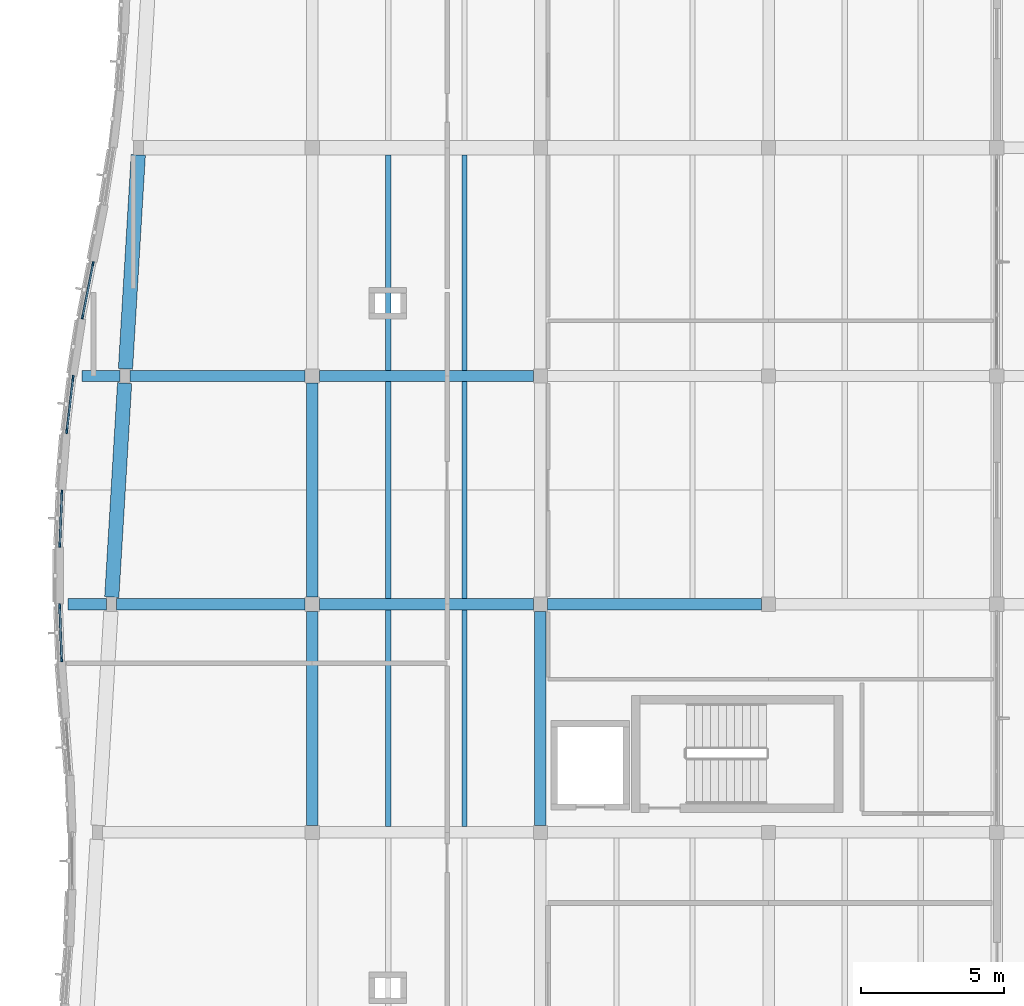
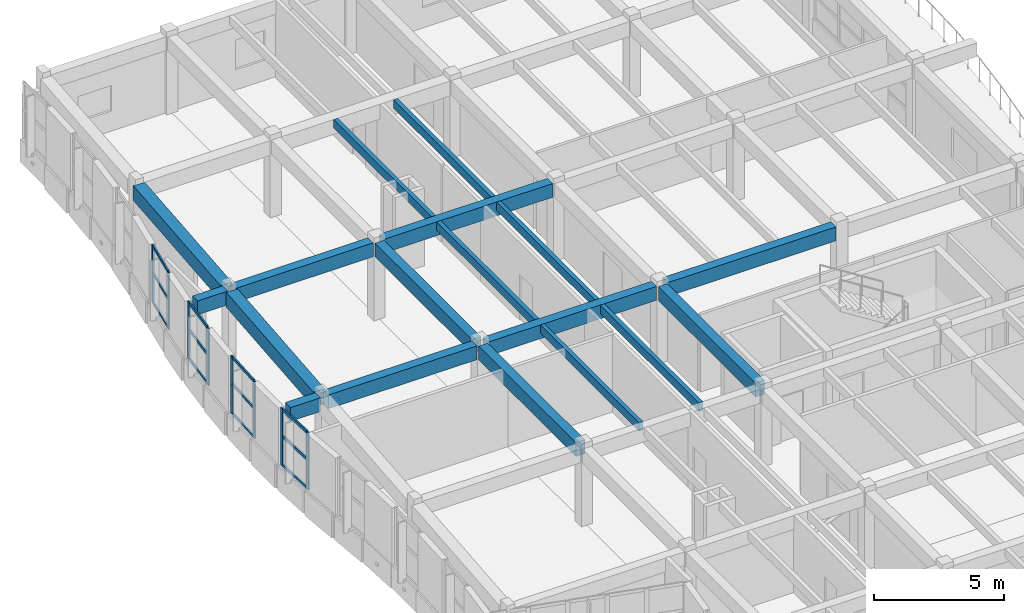
# One storey, part 14 of 89: 20 members, 18 beams, 4 elements without a shape of their own.
"""IFC4 building model written with IfcOpenShell, lengths in metres."""

from ifc_helpers import new_model, si_unit, direction, frame, origin, origin_2d, place, context, subcontext, project, spatial, rectangle, extrude, material, layer, layer_set, material_profile, profile_set, type_object, element, aggregate, save


model = new_model("IFC4")

# Units and contexts
model_context = context("Model", 3, precision=1e-05, world=origin(), true_north=direction((0.0, 1.0)))
body_context = subcontext(model_context, "Body", "Model", "MODEL_VIEW")
ifc_project = project(units=[si_unit("LENGTHUNIT", "METRE"), si_unit("AREAUNIT", "SQUARE_METRE"), si_unit("VOLUMEUNIT", "CUBIC_METRE"), si_unit("PLANEANGLEUNIT", "RADIAN"), si_unit("MASSUNIT", "GRAM", prefix="KILO")], contexts=[model_context])

# Site, building, storey
site_placement = place(None, origin())
site = spatial("IfcSite", under=ifc_project, at=site_placement, CompositionType="ELEMENT")
building_placement = place(site_placement, origin())
building = spatial("IfcBuilding", under=site, at=building_placement, Name="Tonlespit Floodbar School", CompositionType="ELEMENT")
storey_placement = place(building_placement, frame((0.0, 0.0, 4.5)))
storey = spatial("IfcBuildingStorey", under=building, at=storey_placement, Name="L01", CompositionType="ELEMENT", Elevation=4.5)

# Beams
ifc_material_1 = material(Name="Concrete C40/50", Category="concrete")
ifc_material_profile_1 = material_profile(ifc_material_1, rectangle(XDim=0.39990234375, YDim=0.64990234375, at=origin_2d()), Name="RC 400x650")
ifc_profile_set_1 = profile_set([ifc_material_profile_1], Name="Concrete C40/50")
beam_type_1 = type_object("IfcBeamType", Name="Beam_RC_400x650", PredefinedType="BEAM", material=ifc_profile_set_1)
beam_1_placement = place(storey_placement, frame((5.135009765625, 72.0, 3.324951171875), z_axis=(1.0, 0.0, 0.0), x_axis=(0.0, 1.0, 0.0)))
element("IfcBeam", 1, at=beam_1_placement, inside=storey, type_object=beam_type_1, Name="L01 girder 0585", PredefinedType="BEAM", context=body_context, shape_type="SweptSolid", body=[
    extrude(rectangle(XDim=0.39990234375, YDim=0.64990234375, at=origin_2d()), origin(), (0.0, 0.0, 1.0), 6.614990234375),
])
for number, where, z_axis, x_axis, name in (
    (2, (12.25, 72.0, 3.324951171875), (1.0, 0.0, 0.0), (0.0, 1.0, 0.0), "L01 girder 0586"),
    (3, (20.25, 72.0, 3.324951171875), (1.0, 0.0, 0.0), (0.0, 1.0, 0.0), "L01 girder 0587"),
):
    element("IfcBeam", number, at=place(storey_placement, frame(where, z_axis=z_axis, x_axis=x_axis)), inside=storey, type_object=beam_type_1, Name=name, PredefinedType="BEAM", context=body_context, shape_type="SweptSolid", body=[
        extrude(rectangle(XDim=0.39990234375, YDim=0.64990234375, at=origin_2d()), origin(), (0.0, 0.0, 1.0), 7.5),
    ])
beam_2_placement = place(storey_placement, frame((5.614990234375, 80.0, 3.324951171875), z_axis=(1.0, 0.0, 0.0), x_axis=(0.0, 1.0, 0.0)))
element("IfcBeam", 4, at=beam_2_placement, inside=storey, type_object=beam_type_1, Name="L01 girder 0594", PredefinedType="BEAM", context=body_context, shape_type="SweptSolid", body=[
    extrude(rectangle(XDim=0.39990234375, YDim=0.64990234375, at=origin_2d()), origin(), (0.0, 0.0, 1.0), 6.135009765625),
])
for number, where, z_axis, x_axis, name in (
    (5, (12.25, 80.0, 3.324951171875), (1.0, 0.0, 0.0), (0.0, 1.0, 0.0), "L01 girder 0595"),
    (6, (12.0, 64.25, 3.324951171875), (0.0, 1.0, 0.0), (-1.0, 0.0, 0.0), "L01 girder 0683"),
    (7, (12.0, 72.25, 3.324951171875), (0.0, 1.0, 0.0), (-1.0, 0.0, 0.0), "L01 girder 0684"),
    (8, (20.0, 64.25, 3.324951171875), (0.0, 1.0, 0.0), (-1.0, 0.0, 0.0), "L01 girder 0696"),
):
    element("IfcBeam", number, at=place(storey_placement, frame(where, z_axis=z_axis, x_axis=x_axis)), inside=storey, type_object=beam_type_1, Name=name, PredefinedType="BEAM", context=body_context, shape_type="SweptSolid", body=[
        extrude(rectangle(XDim=0.39990234375, YDim=0.64990234375, at=origin_2d()), origin(), (0.0, 0.0, 1.0), 7.5),
    ])
for number, where, z_axis, x_axis, name in (
    (9, (4.784912109375, 72.0, 3.324951171875), (-1.0, 0.0, 0.0), (0.0, -1.0, 0.0), "L01 west street wave cantilever bracket"),
    (10, (5.264892578125, 80.0, 3.324951171875), (-1.0, 0.0, 0.0), (0.0, -1.0, 0.0), "L01 west street wave cantilever bracket"),
):
    element("IfcBeam", number, at=place(storey_placement, frame(where, z_axis=z_axis, x_axis=x_axis)), inside=storey, type_object=beam_type_1, Name=name, PredefinedType="BEAM", context=body_context, shape_type="SweptSolid", body=[
        extrude(rectangle(XDim=0.39990234375, YDim=0.64990234375, at=origin_2d()), origin(), (0.0, 0.0, 1.0), 1.33984375),
    ])

# Curtain wall, members
ifc_material_2 = material(Name="Anodised Aluminium", Category="aluminium")
ifc_layer_1 = layer(ifc_material_2, 0.159912109375)
ifc_layer_set_1 = layer_set([ifc_layer_1], Name="Anodised Aluminium")
curtain_wall_type_1 = type_object("IfcCurtainWallType", Name="CurtainWall_1900x2700", PredefinedType="NOTDEFINED", material=ifc_layer_set_1)
curtain_wall_1_placement = place(storey_placement, origin())
curtain_wall_1 = element("IfcCurtainWall", 11, at=curtain_wall_1_placement, inside=storey, type_object=curtain_wall_type_1, Name="L01 unitised curtain wall 0276", PredefinedType="NOTDEFINED")
ifc_material_profile_2 = material_profile(ifc_material_2, rectangle(XDim=0.06494140625, YDim=0.14990234375, at=origin_2d()), Name="ALU M65x150")
ifc_profile_set_2 = profile_set([ifc_material_profile_2], Name="Anodised Aluminium")
member_type_1 = type_object("IfcMemberType", Name="CW_Mullion_65x150", PredefinedType="MULLION", material=ifc_profile_set_2)
member_1_placement = place(storey_placement, frame((3.15234375, 74.072509765625, 0.949951171875), z_axis=(0.0, 0.0, 1.0), x_axis=(-0.999169480615, 0.040747380387, 0.0)))
member_1 = element("IfcMember", 12, at=member_1_placement, type_object=member_type_1, Name="CW-05 mullion 1", PredefinedType="MULLION", context=body_context, shape_type="SweptSolid", body=[
    extrude(rectangle(XDim=0.06494140625, YDim=0.14990234375, at=origin_2d()), origin(), (0.0, 0.0, 1.0), 2.699951171875),
])
member_2_placement = place(storey_placement, frame((3.22802734375, 75.927490234375, 0.949951171875), z_axis=(0.0, 0.0, 1.0), x_axis=(-0.999169480615, 0.040747380387, 0.0)))
member_2 = element("IfcMember", 13, at=member_2_placement, type_object=member_type_1, Name="CW-05 mullion 2", PredefinedType="MULLION", context=body_context, shape_type="SweptSolid", body=[
    extrude(rectangle(XDim=0.06494140625, YDim=0.14990234375, at=origin_2d()), origin(), (0.0, 0.0, 1.0), 2.699951171875),
])

ifc_layer_2 = layer(ifc_material_2, 0.159912109375)
ifc_layer_set_2 = layer_set([ifc_layer_2], Name="Anodised Aluminium")
curtain_wall_type_2 = type_object("IfcCurtainWallType", Name="CurtainWall_1950x2700", PredefinedType="NOTDEFINED", material=ifc_layer_set_2)
curtain_wall_2_placement = place(storey_placement, origin())
curtain_wall_2 = element("IfcCurtainWall", 14, at=curtain_wall_2_placement, inside=storey, type_object=curtain_wall_type_2, Name="L01 unitised curtain wall 0278", PredefinedType="NOTDEFINED")
member_3_placement = place(storey_placement, frame((3.9521484375, 82.0712890625, 0.949951171875), z_axis=(0.0, 0.0, 1.0), x_axis=(-0.981347015734, 0.192244726092, 0.0)))
member_3 = element("IfcMember", 15, at=member_3_placement, type_object=member_type_1, Name="CW-04 mullion 1", PredefinedType="MULLION", context=body_context, shape_type="SweptSolid", body=[
    extrude(rectangle(XDim=0.06494140625, YDim=0.14990234375, at=origin_2d()), origin(), (0.0, 0.0, 1.0), 2.699951171875),
])
member_4_placement = place(storey_placement, frame((4.316162109375, 83.9287109375, 0.949951171875), z_axis=(0.0, 0.0, 1.0), x_axis=(-0.981347015734, 0.192244726092, 0.0)))
member_4 = element("IfcMember", 16, at=member_4_placement, type_object=member_type_1, Name="CW-04 mullion 2", PredefinedType="MULLION", context=body_context, shape_type="SweptSolid", body=[
    extrude(rectangle(XDim=0.06494140625, YDim=0.14990234375, at=origin_2d()), origin(), (0.0, 0.0, 1.0), 2.699951171875),
])

curtain_wall_3_placement = place(storey_placement, origin())
curtain_wall_3 = element("IfcCurtainWall", 17, at=curtain_wall_3_placement, inside=storey, type_object=curtain_wall_type_1, Name="L01 unitised curtain wall 0275", PredefinedType="NOTDEFINED")
ifc_material_profile_3 = material_profile(ifc_material_2, rectangle(XDim=0.06494140625, YDim=0.179931640625, at=origin_2d()), Name="ALU M65x180")
ifc_profile_set_3 = profile_set([ifc_material_profile_3], Name="Anodised Aluminium")
member_type_2 = type_object("IfcMemberType", Name="CW_Mullion_65x180", PredefinedType="MULLION", material=ifc_profile_set_3)
member_5_placement = place(storey_placement, frame((3.215576171875, 70.072509765625, 0.949951171875), z_axis=(0.0, 0.0, 1.0), x_axis=(-0.999332261205, -0.036538085803, 0.0)))
member_5 = element("IfcMember", 18, at=member_5_placement, type_object=member_type_2, Name="CW-05 mullion 1", PredefinedType="MULLION", context=body_context, shape_type="SweptSolid", body=[
    extrude(rectangle(XDim=0.06494140625, YDim=0.179931640625, at=origin_2d()), origin(), (0.0, 0.0, 1.0), 2.699951171875),
])
member_6_placement = place(storey_placement, frame((3.147705078125, 71.927490234375, 0.949951171875), z_axis=(0.0, 0.0, 1.0), x_axis=(-0.999332261205, -0.036538085803, 0.0)))
member_6 = element("IfcMember", 19, at=member_6_placement, type_object=member_type_2, Name="CW-05 mullion 2", PredefinedType="MULLION", context=body_context, shape_type="SweptSolid", body=[
    extrude(rectangle(XDim=0.06494140625, YDim=0.179931640625, at=origin_2d()), origin(), (0.0, 0.0, 1.0), 2.699951171875),
])

curtain_wall_4_placement = place(storey_placement, origin())
curtain_wall_4 = element("IfcCurtainWall", 20, at=curtain_wall_4_placement, inside=storey, type_object=curtain_wall_type_2, Name="L01 unitised curtain wall 0277", PredefinedType="NOTDEFINED")
member_7_placement = place(storey_placement, frame((3.39794921875, 78.072021484375, 0.949951171875), z_axis=(0.0, 0.0, 1.0), x_axis=(-0.993135771716, 0.116967255837, 0.0)))
member_7 = element("IfcMember", 21, at=member_7_placement, type_object=member_type_2, Name="CW-04 mullion 1", PredefinedType="MULLION", context=body_context, shape_type="SweptSolid", body=[
    extrude(rectangle(XDim=0.06494140625, YDim=0.179931640625, at=origin_2d()), origin(), (0.0, 0.0, 1.0), 2.699951171875),
])
member_8_placement = place(storey_placement, frame((3.616455078125, 79.927978515625, 0.949951171875), z_axis=(0.0, 0.0, 1.0), x_axis=(-0.993135771716, 0.116967255837, 0.0)))
member_8 = element("IfcMember", 22, at=member_8_placement, type_object=member_type_2, Name="CW-04 mullion 2", PredefinedType="MULLION", context=body_context, shape_type="SweptSolid", body=[
    extrude(rectangle(XDim=0.06494140625, YDim=0.179931640625, at=origin_2d()), origin(), (0.0, 0.0, 1.0), 2.699951171875),
])

# Member
ifc_material_profile_4 = material_profile(ifc_material_2, rectangle(XDim=0.06494140625, YDim=0.1201171875, at=origin_2d()), Name="ALU T65x120")
ifc_profile_set_4 = profile_set([ifc_material_profile_4], Name="Anodised Aluminium")
member_type_3 = type_object("IfcMemberType", Name="CW_Transom_65x120", PredefinedType="USERDEFINED", material=ifc_profile_set_4)
member_9_placement = place(storey_placement, frame((3.153564453125, 74.10498046875, 0.982421875), z_axis=(0.040746274984, 0.999169525694, 0.0), x_axis=(-0.999169525694, 0.040746274984, 0.0)))
member_9 = element("IfcMember", 23, at=member_9_placement, type_object=member_type_3, Name="CW-05 transom 1.1", ObjectType="TRANSOM", PredefinedType="USERDEFINED", context=body_context, shape_type="SweptSolid", body=[
    extrude(rectangle(XDim=0.06494140625, YDim=0.1201171875, at=origin_2d()), origin(), (0.0, 0.0, 1.0), 1.79150390625),
])

member_10_placement = place(storey_placement, frame((3.153564453125, 74.10498046875, 2.35400390625), z_axis=(0.040746274984, 0.999169525694, 0.0), x_axis=(-0.999169525694, 0.040746274984, 0.0)))
member_10 = element("IfcMember", 24, at=member_10_placement, type_object=member_type_3, Name="CW-05 transom 1.2", ObjectType="TRANSOM", PredefinedType="USERDEFINED", context=body_context, shape_type="SweptSolid", body=[
    extrude(rectangle(XDim=0.06494140625, YDim=0.1201171875, at=origin_2d()), origin(), (0.0, 0.0, 1.0), 1.79150390625),
])

member_11_placement = place(storey_placement, frame((3.153564453125, 74.10498046875, 3.617431640625), z_axis=(0.040746274984, 0.999169525694, 0.0), x_axis=(-0.999169525694, 0.040746274984, 0.0)))
member_11 = element("IfcMember", 25, at=member_11_placement, type_object=member_type_3, Name="CW-05 transom 1.3", ObjectType="TRANSOM", PredefinedType="USERDEFINED", context=body_context, shape_type="SweptSolid", body=[
    extrude(rectangle(XDim=0.06494140625, YDim=0.1201171875, at=origin_2d()), origin(), (0.0, 0.0, 1.0), 1.79150390625),
])

aggregate(curtain_wall_1, [member_1, member_2, member_9, member_10, member_11])

member_12_placement = place(storey_placement, frame((3.95849609375, 82.10302734375, 0.982421875), z_axis=(0.192184975047, 0.981358719004, 0.0), x_axis=(-0.981358719004, 0.192184975047, 0.0)))
member_12 = element("IfcMember", 26, at=member_12_placement, type_object=member_type_3, Name="CW-04 transom 1.1", ObjectType="TRANSOM", PredefinedType="USERDEFINED", context=body_context, shape_type="SweptSolid", body=[
    extrude(rectangle(XDim=0.06494140625, YDim=0.1201171875, at=origin_2d()), origin(), (0.0, 0.0, 1.0), 1.828125),
])

member_13_placement = place(storey_placement, frame((3.95849609375, 82.10302734375, 2.35400390625), z_axis=(0.192184975047, 0.981358719004, 0.0), x_axis=(-0.981358719004, 0.192184975047, 0.0)))
member_13 = element("IfcMember", 27, at=member_13_placement, type_object=member_type_3, Name="CW-04 transom 1.2", ObjectType="TRANSOM", PredefinedType="USERDEFINED", context=body_context, shape_type="SweptSolid", body=[
    extrude(rectangle(XDim=0.06494140625, YDim=0.1201171875, at=origin_2d()), origin(), (0.0, 0.0, 1.0), 1.828125),
])

member_14_placement = place(storey_placement, frame((3.95849609375, 82.10302734375, 3.617431640625), z_axis=(0.192184975047, 0.981358719004, 0.0), x_axis=(-0.981358719004, 0.192184975047, 0.0)))
member_14 = element("IfcMember", 28, at=member_14_placement, type_object=member_type_3, Name="CW-04 transom 1.3", ObjectType="TRANSOM", PredefinedType="USERDEFINED", context=body_context, shape_type="SweptSolid", body=[
    extrude(rectangle(XDim=0.06494140625, YDim=0.1201171875, at=origin_2d()), origin(), (0.0, 0.0, 1.0), 1.828125),
])

aggregate(curtain_wall_2, [member_3, member_4, member_12, member_13, member_14])

ifc_material_profile_5 = material_profile(ifc_material_2, rectangle(XDim=0.06494140625, YDim=0.139892578125, at=origin_2d()), Name="ALU T65x140")
ifc_profile_set_5 = profile_set([ifc_material_profile_5], Name="Anodised Aluminium")
member_type_4 = type_object("IfcMemberType", Name="CW_Transom_65x140", PredefinedType="USERDEFINED", material=ifc_profile_set_5)
member_15_placement = place(storey_placement, frame((3.21435546875, 70.10498046875, 0.982421875), z_axis=(-0.036527706995, 0.999332640627, 0.0), x_axis=(-0.999332640627, -0.036527706995, 0.0)))
member_15 = element("IfcMember", 29, at=member_15_placement, type_object=member_type_4, Name="CW-05 transom 1.1", ObjectType="TRANSOM", PredefinedType="USERDEFINED", context=body_context, shape_type="SweptSolid", body=[
    extrude(rectangle(XDim=0.06494140625, YDim=0.139892578125, at=origin_2d()), origin(), (0.0, 0.0, 1.0), 1.791259765625),
])

member_16_placement = place(storey_placement, frame((3.21435546875, 70.10498046875, 2.35400390625), z_axis=(-0.036527706995, 0.999332640627, 0.0), x_axis=(-0.999332640627, -0.036527706995, 0.0)))
member_16 = element("IfcMember", 30, at=member_16_placement, type_object=member_type_4, Name="CW-05 transom 1.2", ObjectType="TRANSOM", PredefinedType="USERDEFINED", context=body_context, shape_type="SweptSolid", body=[
    extrude(rectangle(XDim=0.06494140625, YDim=0.139892578125, at=origin_2d()), origin(), (0.0, 0.0, 1.0), 1.791259765625),
])

member_17_placement = place(storey_placement, frame((3.21435546875, 70.10498046875, 3.617431640625), z_axis=(-0.036527706995, 0.999332640627, 0.0), x_axis=(-0.999332640627, -0.036527706995, 0.0)))
member_17 = element("IfcMember", 31, at=member_17_placement, type_object=member_type_4, Name="CW-05 transom 1.3", ObjectType="TRANSOM", PredefinedType="USERDEFINED", context=body_context, shape_type="SweptSolid", body=[
    extrude(rectangle(XDim=0.06494140625, YDim=0.139892578125, at=origin_2d()), origin(), (0.0, 0.0, 1.0), 1.791259765625),
])

aggregate(curtain_wall_3, [member_5, member_6, member_15, member_16, member_17])

member_18_placement = place(storey_placement, frame((3.401611328125, 78.104248046875, 0.982421875), z_axis=(0.117068966489, 0.993123787393, 0.0), x_axis=(-0.993123787393, 0.117068966489, 0.0)))
member_18 = element("IfcMember", 32, at=member_18_placement, type_object=member_type_4, Name="CW-04 transom 1.1", ObjectType="TRANSOM", PredefinedType="USERDEFINED", context=body_context, shape_type="SweptSolid", body=[
    extrude(rectangle(XDim=0.06494140625, YDim=0.139892578125, at=origin_2d()), origin(), (0.0, 0.0, 1.0), 1.803955078125),
])

member_19_placement = place(storey_placement, frame((3.401611328125, 78.104248046875, 2.35400390625), z_axis=(0.117068966489, 0.993123787393, 0.0), x_axis=(-0.993123787393, 0.117068966489, 0.0)))
member_19 = element("IfcMember", 33, at=member_19_placement, type_object=member_type_4, Name="CW-04 transom 1.2", ObjectType="TRANSOM", PredefinedType="USERDEFINED", context=body_context, shape_type="SweptSolid", body=[
    extrude(rectangle(XDim=0.06494140625, YDim=0.139892578125, at=origin_2d()), origin(), (0.0, 0.0, 1.0), 1.803955078125),
])

member_20_placement = place(storey_placement, frame((3.401611328125, 78.104248046875, 3.617431640625), z_axis=(0.117068966489, 0.993123787393, 0.0), x_axis=(-0.993123787393, 0.117068966489, 0.0)))
member_20 = element("IfcMember", 34, at=member_20_placement, type_object=member_type_4, Name="CW-04 transom 1.3", ObjectType="TRANSOM", PredefinedType="USERDEFINED", context=body_context, shape_type="SweptSolid", body=[
    extrude(rectangle(XDim=0.06494140625, YDim=0.139892578125, at=origin_2d()), origin(), (0.0, 0.0, 1.0), 1.803955078125),
])

aggregate(curtain_wall_4, [member_7, member_8, member_18, member_19, member_20])

# Beams
ifc_material_3 = material(Name="Glulam GL28h", Category="wood")
ifc_material_profile_6 = material_profile(ifc_material_3, rectangle(XDim=0.179931640625, YDim=0.39990234375, at=origin_2d()), Name="GL 180x400")
ifc_profile_set_6 = profile_set([ifc_material_profile_6], Name="Glulam GL28h")
beam_type_2 = type_object("IfcBeamType", Name="Joist_GL_180x400", PredefinedType="JOIST", material=ifc_profile_set_6)
for number, where, z_axis, x_axis, name in (
    (35, (14.666748046875, 64.199951171875, 3.449951171875), (0.0, 1.0, 0.0), (-1.0, 0.0, 0.0), "L01 secondary joist 0842"),
    (36, (17.333251953125, 64.199951171875, 3.449951171875), (0.0, 1.0, 0.0), (-1.0, 0.0, 0.0), "L01 secondary joist 0843"),
    (37, (14.666748046875, 72.199951171875, 3.449951171875), (0.0, 1.0, 0.0), (-1.0, 0.0, 0.0), "L01 secondary joist 0845"),
    (38, (17.333251953125, 72.199951171875, 3.449951171875), (0.0, 1.0, 0.0), (-1.0, 0.0, 0.0), "L01 secondary joist 0846"),
):
    element("IfcBeam", number, at=place(storey_placement, frame(where, z_axis=z_axis, x_axis=x_axis)), inside=storey, type_object=beam_type_2, Name=name, PredefinedType="JOIST", context=body_context, shape_type="SweptSolid", body=[
        extrude(rectangle(XDim=0.179931640625, YDim=0.39990234375, at=origin_2d()), origin(), (0.0, 0.0, 1.0), 7.60009765625),
    ])
for number, where, z_axis, x_axis, name in (
    (39, (14.666748046875, 80.199951171875, 3.449951171875), (0.0, 1.0, 0.0), (-1.0, 0.0, 0.0), "L01 secondary joist 0851"),
    (40, (17.333251953125, 80.199951171875, 3.449951171875), (0.0, 1.0, 0.0), (-1.0, 0.0, 0.0), "L01 secondary joist 0852"),
):
    element("IfcBeam", number, at=place(storey_placement, frame(where, z_axis=z_axis, x_axis=x_axis)), inside=storey, type_object=beam_type_2, Name=name, PredefinedType="JOIST", context=body_context, shape_type="SweptSolid", body=[
        extrude(rectangle(XDim=0.179931640625, YDim=0.39990234375, at=origin_2d()), origin(), (0.0, 0.0, 1.0), 7.550048828125),
    ])
ifc_material_profile_7 = material_profile(ifc_material_1, rectangle(XDim=0.5, YDim=0.699951171875, at=origin_2d()), Name="RC 500x700")
ifc_profile_set_7 = profile_set([ifc_material_profile_7], Name="Concrete C40/50")
beam_type_3 = type_object("IfcBeamType", Name="Spandrel_RC_500x700", PredefinedType="SPANDREL", material=ifc_profile_set_7)
for number, where, z_axis, x_axis, name in (
    (41, (4.97509765625, 72.24951171875, 3.300048828125), (0.059878046645, 0.998205700009, 0.0), (-0.998205700009, 0.059878046645, 0.0), "L01 splayed edge spandrel 0791"),
    (42, (5.455078125, 80.24951171875, 3.300048828125), (0.059878046645, 0.998205700009, 0.0), (-0.998205700009, 0.059878046645, 0.0), "L01 splayed edge spandrel 0792"),
):
    element("IfcBeam", number, at=place(storey_placement, frame(where, z_axis=z_axis, x_axis=x_axis)), inside=storey, type_object=beam_type_3, Name=name, PredefinedType="SPANDREL", context=body_context, shape_type="SweptSolid", body=[
        extrude(rectangle(XDim=0.5, YDim=0.699951171875, at=origin_2d()), origin(), (0.0, 0.0, 1.0), 7.514404296875),
    ])

save(model, "model.ifc")
